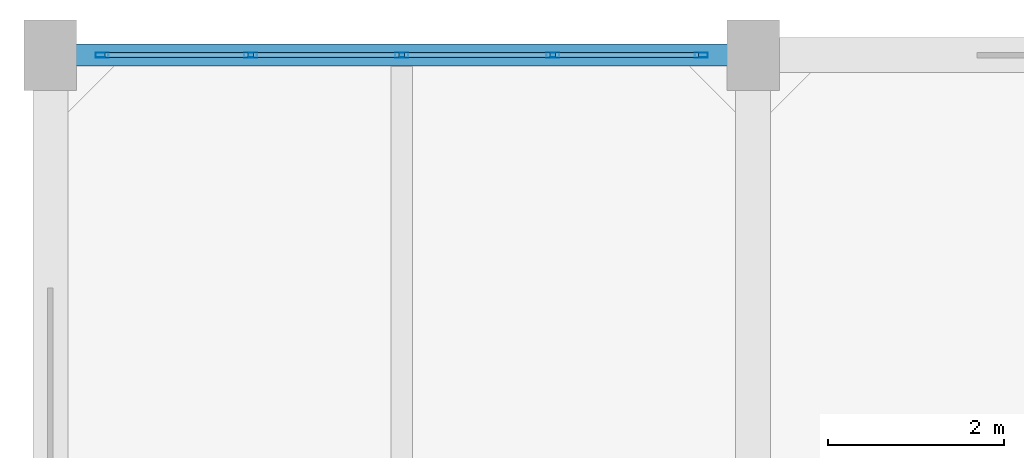
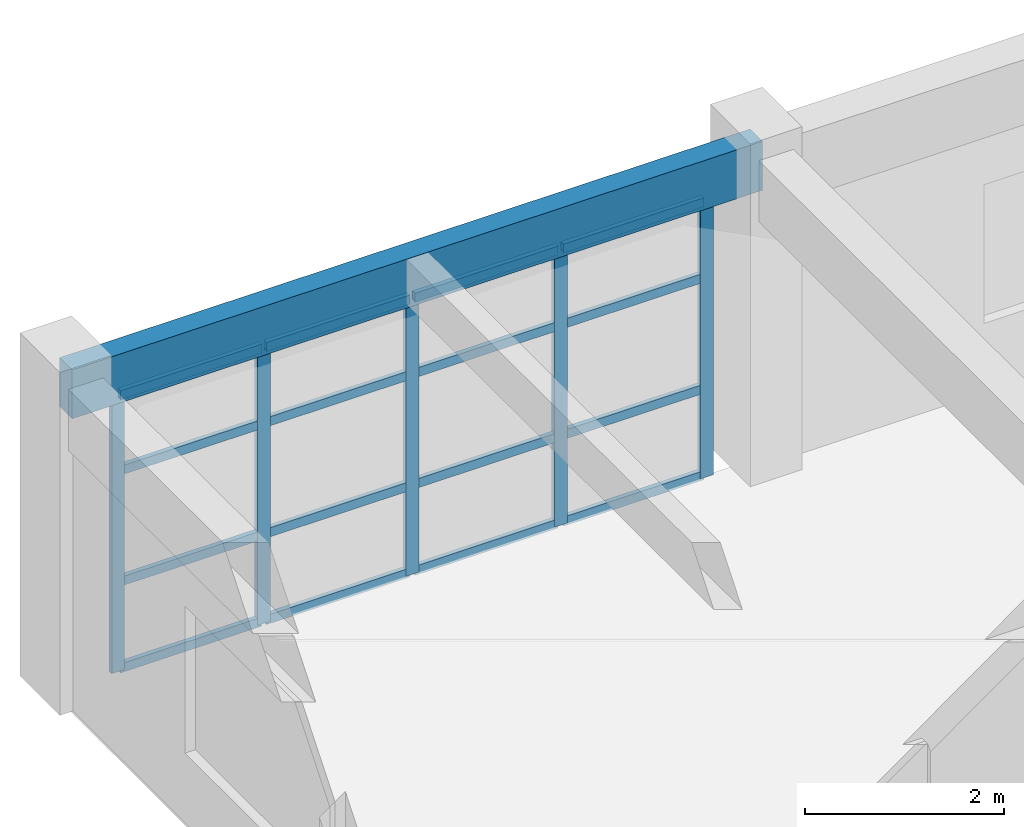
# One storey, part 13 of 27: 21 members, 1 beam, 1 element without a shape of its own.
"""IFC4 building model written with IfcOpenShell, lengths in metres."""

from ifc_helpers import new_model, si_unit, direction, frame, origin, origin_2d, place, context, subcontext, project, spatial, rectangle, hollow_rectangle, extrude, material, layer, layer_set, material_profile, profile_set, type_object, element, aggregate, save


model = new_model("IFC4")

# Units and contexts
model_context = context("Model", 3, precision=1e-05, world=origin(), true_north=direction((0.0, 1.0)))
body_context = subcontext(model_context, "Body", "Model", "MODEL_VIEW")
ifc_project = project(units=[si_unit("LENGTHUNIT", "METRE"), si_unit("AREAUNIT", "SQUARE_METRE"), si_unit("VOLUMEUNIT", "CUBIC_METRE"), si_unit("PLANEANGLEUNIT", "RADIAN"), si_unit("MASSUNIT", "GRAM", prefix="KILO")], contexts=[model_context])

# Site, building, storey
site_placement = place(None, origin())
site = spatial("IfcSite", under=ifc_project, at=site_placement, CompositionType="ELEMENT")
building_placement = place(site_placement, origin())
building = spatial("IfcBuilding", under=site, at=building_placement, Name="Canggui Botanical Conservatory", CompositionType="ELEMENT")
storey_placement = place(building_placement, frame((0.0, 0.0, 23.39990234375)))
storey = spatial("IfcBuildingStorey", under=building, at=storey_placement, Name="L06", CompositionType="ELEMENT", Elevation=23.39990234375)

# Beam
ifc_material_1 = material(Name="Concrete C35", Category="concrete")
ifc_material_profile_1 = material_profile(ifc_material_1, rectangle(XDim=0.25, YDim=0.60009765625, at=origin_2d()), Name="RB 250x600")
ifc_profile_set_1 = profile_set([ifc_material_profile_1], Name="Concrete C35")
beam_type = type_object("IfcBeamType", Name="BM-SPD02", PredefinedType="SPANDREL", material=ifc_profile_set_1)
beam_placement = place(storey_placement, frame((138.0, 74.0, 3.66015625), z_axis=(1.0, 0.0, 0.0), x_axis=(0.0, 1.0, 0.0)))
element("IfcBeam", 1, at=beam_placement, inside=storey, type_object=beam_type, Name="Frame Girder L06 Y74-1", PredefinedType="SPANDREL", context=body_context, shape_type="SweptSolid", body=[
    extrude(rectangle(XDim=0.25, YDim=0.60009765625, at=origin_2d()), origin(), (0.0, 0.0, 1.0), 8.0),
])

# Curtain wall, members
ifc_material_2 = material(Name="Thermally Broken Aluminium", Category="aluminium")
ifc_layer = layer(ifc_material_2, 0.14990234375, Name="Thermally Broken Aluminium", Category="aluminium")
ifc_layer_set = layer_set([ifc_layer], Name="Thermally Broken Aluminium")
curtain_wall_type = type_object("IfcCurtainWallType", Name="CW-UNIT-C", PredefinedType="USERDEFINED", material=ifc_layer_set)
curtain_wall_placement = place(storey_placement, origin())
curtain_wall = element("IfcCurtainWall", 2, at=curtain_wall_placement, inside=storey, type_object=curtain_wall_type, Name="Facade Curtain Wall CW-TWR-L06-12", ObjectType="UNITISED CURTAIN WALL", PredefinedType="USERDEFINED")
ifc_material_profile_2 = material_profile(ifc_material_2, hollow_rectangle(XDim=0.06005859375, YDim=0.14990234375, WallThickness=0.00341796875, at=origin_2d()), Name="CWM 60x150x3.5")
ifc_profile_set_2 = profile_set([ifc_material_profile_2], Name="Thermally Broken Aluminium")
member_type_1 = type_object("IfcMemberType", Name="CWM-03", PredefinedType="MULLION", material=ifc_profile_set_2)
member_1_placement = place(storey_placement, frame((138.590087890625, 74.0, 0.0), z_axis=(0.0, 0.0, 1.0), x_axis=(0.0, 1.0, 0.0)))
member_1 = element("IfcMember", 3, at=member_1_placement, type_object=member_type_1, Name="CW-03 mullion 1", PredefinedType="MULLION", context=body_context, shape_type="SweptSolid", body=[
    extrude(hollow_rectangle(XDim=0.06005859375, YDim=0.14990234375, WallThickness=0.00341796875, at=origin_2d()), origin(), (0.0, 0.0, 1.0), 3.400146484375),
])
member_2_placement = place(storey_placement, frame((140.280029296875, 74.0, 0.0), z_axis=(0.0, 0.0, 1.0), x_axis=(0.0, 1.0, 0.0)))
member_2 = element("IfcMember", 4, at=member_2_placement, type_object=member_type_1, Name="CW-03 mullion 2", PredefinedType="MULLION", context=body_context, shape_type="SweptSolid", body=[
    extrude(hollow_rectangle(XDim=0.06005859375, YDim=0.14990234375, WallThickness=0.00341796875, at=origin_2d()), origin(), (0.0, 0.0, 1.0), 3.400146484375),
])
member_3_placement = place(storey_placement, frame((142.0, 74.0, 0.0), z_axis=(0.0, 0.0, 1.0), x_axis=(0.0, 1.0, 0.0)))
member_3 = element("IfcMember", 5, at=member_3_placement, type_object=member_type_1, Name="CW-03 mullion 3", PredefinedType="MULLION", context=body_context, shape_type="SweptSolid", body=[
    extrude(hollow_rectangle(XDim=0.06005859375, YDim=0.14990234375, WallThickness=0.00341796875, at=origin_2d()), origin(), (0.0, 0.0, 1.0), 3.400146484375),
])
member_4_placement = place(storey_placement, frame((143.719970703125, 74.0, 0.0), z_axis=(0.0, 0.0, 1.0), x_axis=(0.0, 1.0, 0.0)))
member_4 = element("IfcMember", 6, at=member_4_placement, type_object=member_type_1, Name="CW-03 mullion 4", PredefinedType="MULLION", context=body_context, shape_type="SweptSolid", body=[
    extrude(hollow_rectangle(XDim=0.06005859375, YDim=0.14990234375, WallThickness=0.00341796875, at=origin_2d()), origin(), (0.0, 0.0, 1.0), 3.400146484375),
])
member_5_placement = place(storey_placement, frame((145.409912109375, 74.0, 0.0), z_axis=(0.0, 0.0, 1.0), x_axis=(0.0, 1.0, 0.0)))
member_5 = element("IfcMember", 7, at=member_5_placement, type_object=member_type_1, Name="CW-03 mullion 5", PredefinedType="MULLION", context=body_context, shape_type="SweptSolid", body=[
    extrude(hollow_rectangle(XDim=0.06005859375, YDim=0.14990234375, WallThickness=0.00341796875, at=origin_2d()), origin(), (0.0, 0.0, 1.0), 3.400146484375),
])
ifc_material_profile_3 = material_profile(ifc_material_2, hollow_rectangle(XDim=0.054931640625, YDim=0.110107421875, WallThickness=0.0029296875, at=origin_2d()), Name="CWT 55x110x3")
ifc_profile_set_3 = profile_set([ifc_material_profile_3], Name="Thermally Broken Aluminium")
member_type_2 = type_object("IfcMemberType", Name="CWT-03", PredefinedType="USERDEFINED", material=ifc_profile_set_3)
member_6_placement = place(storey_placement, frame((138.6201171875, 74.0, 0.027587890625), z_axis=(1.0, 0.0, 0.0), x_axis=(0.0, 1.0, 0.0)))
member_6 = element("IfcMember", 8, at=member_6_placement, type_object=member_type_2, Name="CW-03 transom 1.1", ObjectType="TRANSOM", PredefinedType="USERDEFINED", context=body_context, shape_type="SweptSolid", body=[
    extrude(hollow_rectangle(XDim=0.054931640625, YDim=0.110107421875, WallThickness=0.0029296875, at=origin_2d()), origin(), (0.0, 0.0, 1.0), 1.6298828125),
])
member_7_placement = place(storey_placement, frame((138.6201171875, 74.0, 1.088134765625), z_axis=(1.0, 0.0, 0.0), x_axis=(0.0, 1.0, 0.0)))
member_7 = element("IfcMember", 9, at=member_7_placement, type_object=member_type_2, Name="CW-03 transom 1.2", ObjectType="TRANSOM", PredefinedType="USERDEFINED", context=body_context, shape_type="SweptSolid", body=[
    extrude(hollow_rectangle(XDim=0.054931640625, YDim=0.110107421875, WallThickness=0.0029296875, at=origin_2d()), origin(), (0.0, 0.0, 1.0), 1.6298828125),
])
member_8_placement = place(storey_placement, frame((138.6201171875, 74.0, 2.447998046875), z_axis=(1.0, 0.0, 0.0), x_axis=(0.0, 1.0, 0.0)))
member_8 = element("IfcMember", 10, at=member_8_placement, type_object=member_type_2, Name="CW-03 transom 1.3", ObjectType="TRANSOM", PredefinedType="USERDEFINED", context=body_context, shape_type="SweptSolid", body=[
    extrude(hollow_rectangle(XDim=0.054931640625, YDim=0.110107421875, WallThickness=0.0029296875, at=origin_2d()), origin(), (0.0, 0.0, 1.0), 1.6298828125),
])
member_9_placement = place(storey_placement, frame((138.6201171875, 74.0, 3.37255859375), z_axis=(1.0, 0.0, 0.0), x_axis=(0.0, 1.0, 0.0)))
member_9 = element("IfcMember", 11, at=member_9_placement, type_object=member_type_2, Name="CW-03 transom 1.4", ObjectType="TRANSOM", PredefinedType="USERDEFINED", context=body_context, shape_type="SweptSolid", body=[
    extrude(hollow_rectangle(XDim=0.054931640625, YDim=0.110107421875, WallThickness=0.0029296875, at=origin_2d()), origin(), (0.0, 0.0, 1.0), 1.6298828125),
])
member_10_placement = place(storey_placement, frame((140.31005859375, 74.0, 0.027587890625), z_axis=(1.0, 0.0, 0.0), x_axis=(0.0, 1.0, 0.0)))
member_10 = element("IfcMember", 12, at=member_10_placement, type_object=member_type_2, Name="CW-03 transom 2.1", ObjectType="TRANSOM", PredefinedType="USERDEFINED", context=body_context, shape_type="SweptSolid", body=[
    extrude(hollow_rectangle(XDim=0.054931640625, YDim=0.110107421875, WallThickness=0.0029296875, at=origin_2d()), origin(), (0.0, 0.0, 1.0), 1.659912109375),
])
member_11_placement = place(storey_placement, frame((140.31005859375, 74.0, 1.088134765625), z_axis=(1.0, 0.0, 0.0), x_axis=(0.0, 1.0, 0.0)))
member_11 = element("IfcMember", 13, at=member_11_placement, type_object=member_type_2, Name="CW-03 transom 2.2", ObjectType="TRANSOM", PredefinedType="USERDEFINED", context=body_context, shape_type="SweptSolid", body=[
    extrude(hollow_rectangle(XDim=0.054931640625, YDim=0.110107421875, WallThickness=0.0029296875, at=origin_2d()), origin(), (0.0, 0.0, 1.0), 1.659912109375),
])
member_12_placement = place(storey_placement, frame((140.31005859375, 74.0, 2.447998046875), z_axis=(1.0, 0.0, 0.0), x_axis=(0.0, 1.0, 0.0)))
member_12 = element("IfcMember", 14, at=member_12_placement, type_object=member_type_2, Name="CW-03 transom 2.3", ObjectType="TRANSOM", PredefinedType="USERDEFINED", context=body_context, shape_type="SweptSolid", body=[
    extrude(hollow_rectangle(XDim=0.054931640625, YDim=0.110107421875, WallThickness=0.0029296875, at=origin_2d()), origin(), (0.0, 0.0, 1.0), 1.659912109375),
])
member_13_placement = place(storey_placement, frame((140.31005859375, 74.0, 3.37255859375), z_axis=(1.0, 0.0, 0.0), x_axis=(0.0, 1.0, 0.0)))
member_13 = element("IfcMember", 15, at=member_13_placement, type_object=member_type_2, Name="CW-03 transom 2.4", ObjectType="TRANSOM", PredefinedType="USERDEFINED", context=body_context, shape_type="SweptSolid", body=[
    extrude(hollow_rectangle(XDim=0.054931640625, YDim=0.110107421875, WallThickness=0.0029296875, at=origin_2d()), origin(), (0.0, 0.0, 1.0), 1.659912109375),
])
member_14_placement = place(storey_placement, frame((142.030029296875, 74.0, 0.027587890625), z_axis=(1.0, 0.0, 0.0), x_axis=(0.0, 1.0, 0.0)))
member_14 = element("IfcMember", 16, at=member_14_placement, type_object=member_type_2, Name="CW-03 transom 3.1", ObjectType="TRANSOM", PredefinedType="USERDEFINED", context=body_context, shape_type="SweptSolid", body=[
    extrude(hollow_rectangle(XDim=0.054931640625, YDim=0.110107421875, WallThickness=0.0029296875, at=origin_2d()), origin(), (0.0, 0.0, 1.0), 1.659912109375),
])
member_15_placement = place(storey_placement, frame((142.030029296875, 74.0, 1.088134765625), z_axis=(1.0, 0.0, 0.0), x_axis=(0.0, 1.0, 0.0)))
member_15 = element("IfcMember", 17, at=member_15_placement, type_object=member_type_2, Name="CW-03 transom 3.2", ObjectType="TRANSOM", PredefinedType="USERDEFINED", context=body_context, shape_type="SweptSolid", body=[
    extrude(hollow_rectangle(XDim=0.054931640625, YDim=0.110107421875, WallThickness=0.0029296875, at=origin_2d()), origin(), (0.0, 0.0, 1.0), 1.659912109375),
])
member_16_placement = place(storey_placement, frame((142.030029296875, 74.0, 2.447998046875), z_axis=(1.0, 0.0, 0.0), x_axis=(0.0, 1.0, 0.0)))
member_16 = element("IfcMember", 18, at=member_16_placement, type_object=member_type_2, Name="CW-03 transom 3.3", ObjectType="TRANSOM", PredefinedType="USERDEFINED", context=body_context, shape_type="SweptSolid", body=[
    extrude(hollow_rectangle(XDim=0.054931640625, YDim=0.110107421875, WallThickness=0.0029296875, at=origin_2d()), origin(), (0.0, 0.0, 1.0), 1.659912109375),
])
member_17_placement = place(storey_placement, frame((142.030029296875, 74.0, 3.37255859375), z_axis=(1.0, 0.0, 0.0), x_axis=(0.0, 1.0, 0.0)))
member_17 = element("IfcMember", 19, at=member_17_placement, type_object=member_type_2, Name="CW-03 transom 3.4", ObjectType="TRANSOM", PredefinedType="USERDEFINED", context=body_context, shape_type="SweptSolid", body=[
    extrude(hollow_rectangle(XDim=0.054931640625, YDim=0.110107421875, WallThickness=0.0029296875, at=origin_2d()), origin(), (0.0, 0.0, 1.0), 1.659912109375),
])
member_18_placement = place(storey_placement, frame((143.75, 74.0, 0.027587890625), z_axis=(1.0, 0.0, 0.0), x_axis=(0.0, 1.0, 0.0)))
member_18 = element("IfcMember", 20, at=member_18_placement, type_object=member_type_2, Name="CW-03 transom 4.1", ObjectType="TRANSOM", PredefinedType="USERDEFINED", context=body_context, shape_type="SweptSolid", body=[
    extrude(hollow_rectangle(XDim=0.054931640625, YDim=0.110107421875, WallThickness=0.0029296875, at=origin_2d()), origin(), (0.0, 0.0, 1.0), 1.6298828125),
])
member_19_placement = place(storey_placement, frame((143.75, 74.0, 1.088134765625), z_axis=(1.0, 0.0, 0.0), x_axis=(0.0, 1.0, 0.0)))
member_19 = element("IfcMember", 21, at=member_19_placement, type_object=member_type_2, Name="CW-03 transom 4.2", ObjectType="TRANSOM", PredefinedType="USERDEFINED", context=body_context, shape_type="SweptSolid", body=[
    extrude(hollow_rectangle(XDim=0.054931640625, YDim=0.110107421875, WallThickness=0.0029296875, at=origin_2d()), origin(), (0.0, 0.0, 1.0), 1.6298828125),
])
member_20_placement = place(storey_placement, frame((143.75, 74.0, 2.447998046875), z_axis=(1.0, 0.0, 0.0), x_axis=(0.0, 1.0, 0.0)))
member_20 = element("IfcMember", 22, at=member_20_placement, type_object=member_type_2, Name="CW-03 transom 4.3", ObjectType="TRANSOM", PredefinedType="USERDEFINED", context=body_context, shape_type="SweptSolid", body=[
    extrude(hollow_rectangle(XDim=0.054931640625, YDim=0.110107421875, WallThickness=0.0029296875, at=origin_2d()), origin(), (0.0, 0.0, 1.0), 1.6298828125),
])
member_21_placement = place(storey_placement, frame((143.75, 74.0, 3.37255859375), z_axis=(1.0, 0.0, 0.0), x_axis=(0.0, 1.0, 0.0)))
member_21 = element("IfcMember", 23, at=member_21_placement, type_object=member_type_2, Name="CW-03 transom 4.4", ObjectType="TRANSOM", PredefinedType="USERDEFINED", context=body_context, shape_type="SweptSolid", body=[
    extrude(hollow_rectangle(XDim=0.054931640625, YDim=0.110107421875, WallThickness=0.0029296875, at=origin_2d()), origin(), (0.0, 0.0, 1.0), 1.6298828125),
])
aggregate(curtain_wall, [member_1, member_2, member_3, member_4, member_5, member_6, member_7, member_8, member_9, member_10, member_11, member_12, member_13, member_14, member_15, member_16, member_17, member_18, member_19, member_20, member_21])

save(model, "model.ifc")
